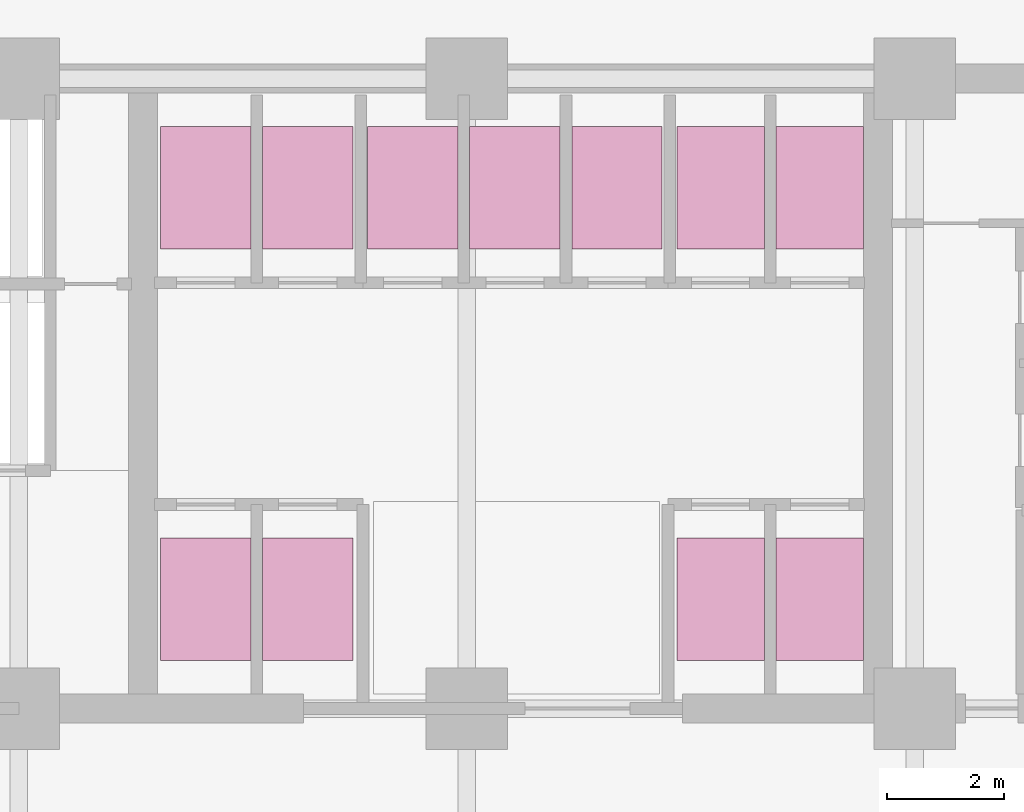
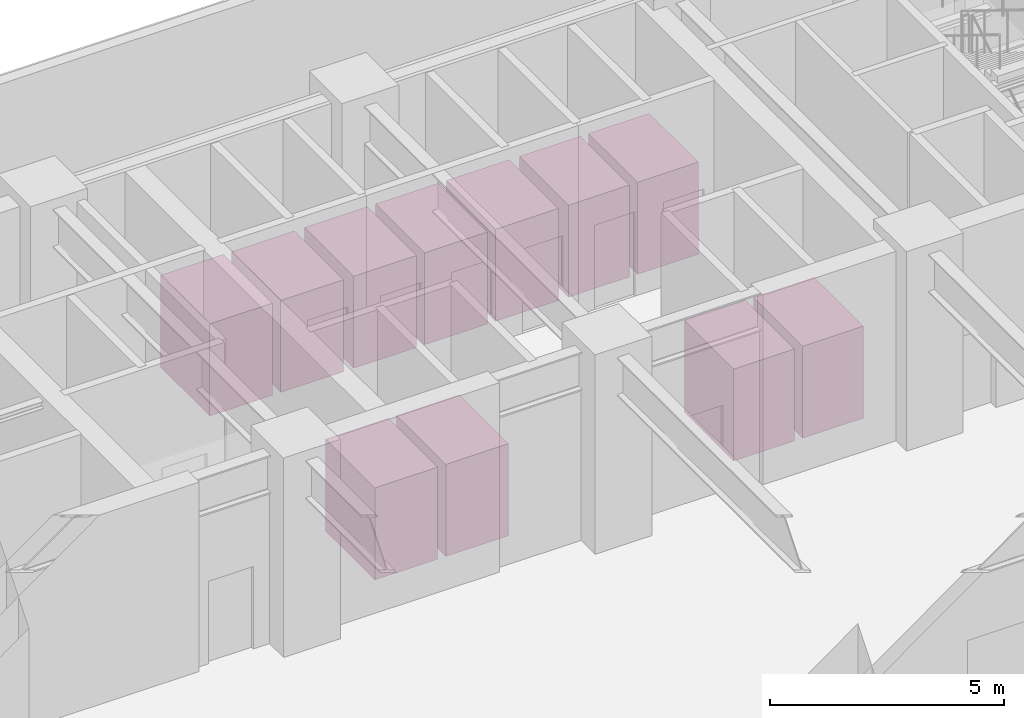
# One storey, part 15 of 15: 11 transport elements.
"""IFC4 building model written with IfcOpenShell, lengths in metres."""

from ifc_helpers import new_model, si_unit, direction, frame, origin, origin_2d, place, context, subcontext, project, spatial, rectangle, extrude, material, type_object, element, save


model = new_model("IFC4")

# Units and contexts
model_context = context("Model", 3, precision=1e-05, world=origin(), true_north=direction((0.0, 1.0)))
body_context = subcontext(model_context, "Body", "Model", "MODEL_VIEW")
ifc_project = project(units=[si_unit("LENGTHUNIT", "METRE"), si_unit("AREAUNIT", "SQUARE_METRE"), si_unit("VOLUMEUNIT", "CUBIC_METRE"), si_unit("PLANEANGLEUNIT", "RADIAN"), si_unit("MASSUNIT", "GRAM", prefix="KILO")], contexts=[model_context])

# Site, building, storey
site_placement = place(None, origin())
site = spatial("IfcSite", under=ifc_project, at=site_placement, CompositionType="ELEMENT")
building_placement = place(site_placement, origin())
building = spatial("IfcBuilding", under=site, at=building_placement, Name="Yelkora Congress Tower", CompositionType="ELEMENT")
storey_placement = place(building_placement, origin())
storey = spatial("IfcBuildingStorey", under=building, at=storey_placement, Name="L00", CompositionType="ELEMENT", Elevation=0.0)

# Transport elements
ifc_material = material(Name="Stainless steel elevator cab assembly", Category="steel")
transport_element_type_1 = type_object("IfcTransportElementType", Name="ELV-LF-P1", PredefinedType="ELEVATOR", material=ifc_material)
transport_element_1_placement = place(storey_placement, frame((33.925048828125, 37.27490234375, 0.0), z_axis=(0.0, 0.0, 1.0), x_axis=(1.0, 0.0, 0.0)))
element("IfcTransportElement", 1, at=transport_element_1_placement, inside=storey, type_object=transport_element_type_1, Name="Elevator Car LF-P1", PredefinedType="ELEVATOR", context=body_context, shape_type="SweptSolid", body=[
    extrude(rectangle(XDim=1.550048828125, YDim=2.10009765625, at=origin_2d()), origin(), (0.0, 0.0, 1.0), 2.39990234375),
])
transport_element_type_2 = type_object("IfcTransportElementType", Name="ELV-LF-P10", PredefinedType="ELEVATOR", material=ifc_material)
transport_element_2_placement = place(storey_placement, frame((39.22509765625, 44.324951171875, 0.0), z_axis=(0.0, 0.0, 1.0), x_axis=(1.0, 0.0, 0.0)))
element("IfcTransportElement", 2, at=transport_element_2_placement, inside=storey, type_object=transport_element_type_2, Name="Elevator Car LF-P10", PredefinedType="ELEVATOR", context=body_context, shape_type="SweptSolid", body=[
    extrude(rectangle(XDim=1.550048828125, YDim=2.10009765625, at=origin_2d()), origin(), (0.0, 0.0, 1.0), 2.39990234375),
])
transport_element_type_3 = type_object("IfcTransportElementType", Name="ELV-LF-P11", PredefinedType="ELEVATOR", material=ifc_material)
transport_element_3_placement = place(storey_placement, frame((40.97509765625, 44.324951171875, 0.0), z_axis=(0.0, 0.0, 1.0), x_axis=(1.0, 0.0, 0.0)))
element("IfcTransportElement", 3, at=transport_element_3_placement, inside=storey, type_object=transport_element_type_3, Name="Elevator Car LF-P11", PredefinedType="ELEVATOR", context=body_context, shape_type="SweptSolid", body=[
    extrude(rectangle(XDim=1.550048828125, YDim=2.10009765625, at=origin_2d()), origin(), (0.0, 0.0, 1.0), 2.39990234375),
])
transport_element_type_4 = type_object("IfcTransportElementType", Name="ELV-LF-P2", PredefinedType="ELEVATOR", material=ifc_material)
transport_element_4_placement = place(storey_placement, frame((35.675048828125, 37.27490234375, 0.0), z_axis=(0.0, 0.0, 1.0), x_axis=(1.0, 0.0, 0.0)))
element("IfcTransportElement", 4, at=transport_element_4_placement, inside=storey, type_object=transport_element_type_4, Name="Elevator Car LF-P2", PredefinedType="ELEVATOR", context=body_context, shape_type="SweptSolid", body=[
    extrude(rectangle(XDim=1.550048828125, YDim=2.10009765625, at=origin_2d()), origin(), (0.0, 0.0, 1.0), 2.39990234375),
])
transport_element_type_5 = type_object("IfcTransportElementType", Name="ELV-LF-P3", PredefinedType="ELEVATOR", material=ifc_material)
transport_element_5_placement = place(storey_placement, frame((33.925048828125, 44.324951171875, 0.0), z_axis=(0.0, 0.0, 1.0), x_axis=(1.0, 0.0, 0.0)))
element("IfcTransportElement", 5, at=transport_element_5_placement, inside=storey, type_object=transport_element_type_5, Name="Elevator Car LF-P3", PredefinedType="ELEVATOR", context=body_context, shape_type="SweptSolid", body=[
    extrude(rectangle(XDim=1.550048828125, YDim=2.10009765625, at=origin_2d()), origin(), (0.0, 0.0, 1.0), 2.39990234375),
])
transport_element_type_6 = type_object("IfcTransportElementType", Name="ELV-LF-P4", PredefinedType="ELEVATOR", material=ifc_material)
transport_element_6_placement = place(storey_placement, frame((35.675048828125, 44.324951171875, 0.0), z_axis=(0.0, 0.0, 1.0), x_axis=(1.0, 0.0, 0.0)))
element("IfcTransportElement", 6, at=transport_element_6_placement, inside=storey, type_object=transport_element_type_6, Name="Elevator Car LF-P4", PredefinedType="ELEVATOR", context=body_context, shape_type="SweptSolid", body=[
    extrude(rectangle(XDim=1.550048828125, YDim=2.10009765625, at=origin_2d()), origin(), (0.0, 0.0, 1.0), 2.39990234375),
])
transport_element_type_7 = type_object("IfcTransportElementType", Name="ELV-LF-P5", PredefinedType="ELEVATOR", material=ifc_material)
transport_element_7_placement = place(storey_placement, frame((42.75, 37.27490234375, 0.0), z_axis=(0.0, 0.0, 1.0), x_axis=(1.0, 0.0, 0.0)))
element("IfcTransportElement", 7, at=transport_element_7_placement, inside=storey, type_object=transport_element_type_7, Name="Elevator Car LF-P5", PredefinedType="ELEVATOR", context=body_context, shape_type="SweptSolid", body=[
    extrude(rectangle(XDim=1.5, YDim=2.10009765625, at=origin_2d()), origin(), (0.0, 0.0, 1.0), 2.39990234375),
])
transport_element_type_8 = type_object("IfcTransportElementType", Name="ELV-LF-P6", PredefinedType="ELEVATOR", material=ifc_material)
transport_element_8_placement = place(storey_placement, frame((44.449951171875, 37.27490234375, 0.0), z_axis=(0.0, 0.0, 1.0), x_axis=(1.0, 0.0, 0.0)))
element("IfcTransportElement", 8, at=transport_element_8_placement, inside=storey, type_object=transport_element_type_8, Name="Elevator Car LF-P6", PredefinedType="ELEVATOR", context=body_context, shape_type="SweptSolid", body=[
    extrude(rectangle(XDim=1.5, YDim=2.10009765625, at=origin_2d()), origin(), (0.0, 0.0, 1.0), 2.39990234375),
])
transport_element_type_9 = type_object("IfcTransportElementType", Name="ELV-LF-P7", PredefinedType="ELEVATOR", material=ifc_material)
transport_element_9_placement = place(storey_placement, frame((42.75, 44.324951171875, 0.0), z_axis=(0.0, 0.0, 1.0), x_axis=(1.0, 0.0, 0.0)))
element("IfcTransportElement", 9, at=transport_element_9_placement, inside=storey, type_object=transport_element_type_9, Name="Elevator Car LF-P7", PredefinedType="ELEVATOR", context=body_context, shape_type="SweptSolid", body=[
    extrude(rectangle(XDim=1.5, YDim=2.10009765625, at=origin_2d()), origin(), (0.0, 0.0, 1.0), 2.39990234375),
])
transport_element_type_10 = type_object("IfcTransportElementType", Name="ELV-LF-P8", PredefinedType="ELEVATOR", material=ifc_material)
transport_element_10_placement = place(storey_placement, frame((44.449951171875, 44.324951171875, 0.0), z_axis=(0.0, 0.0, 1.0), x_axis=(1.0, 0.0, 0.0)))
element("IfcTransportElement", 10, at=transport_element_10_placement, inside=storey, type_object=transport_element_type_10, Name="Elevator Car LF-P8", PredefinedType="ELEVATOR", context=body_context, shape_type="SweptSolid", body=[
    extrude(rectangle(XDim=1.5, YDim=2.10009765625, at=origin_2d()), origin(), (0.0, 0.0, 1.0), 2.39990234375),
])
transport_element_type_11 = type_object("IfcTransportElementType", Name="ELV-LF-P9", PredefinedType="ELEVATOR", material=ifc_material)
transport_element_11_placement = place(storey_placement, frame((37.47509765625, 44.324951171875, 0.0), z_axis=(0.0, 0.0, 1.0), x_axis=(1.0, 0.0, 0.0)))
element("IfcTransportElement", 11, at=transport_element_11_placement, inside=storey, type_object=transport_element_type_11, Name="Elevator Car LF-P9", PredefinedType="ELEVATOR", context=body_context, shape_type="SweptSolid", body=[
    extrude(rectangle(XDim=1.550048828125, YDim=2.10009765625, at=origin_2d()), origin(), (0.0, 0.0, 1.0), 2.39990234375),
])

save(model, "model.ifc")
